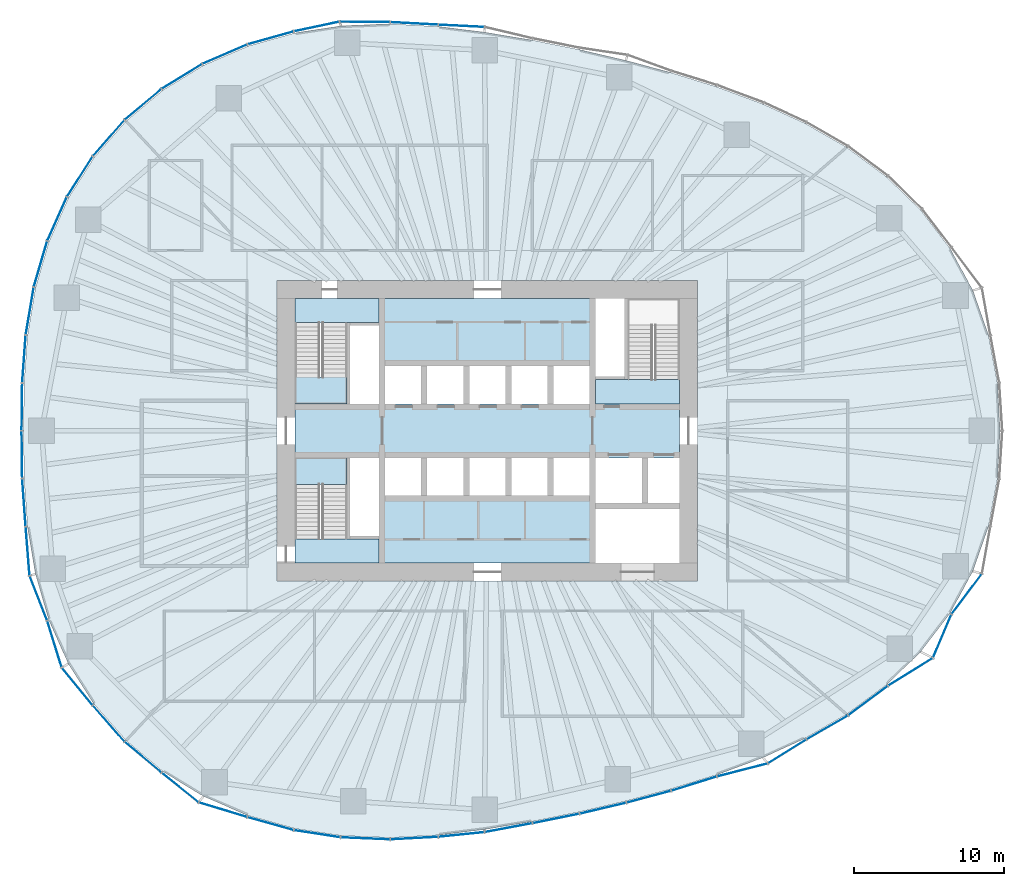
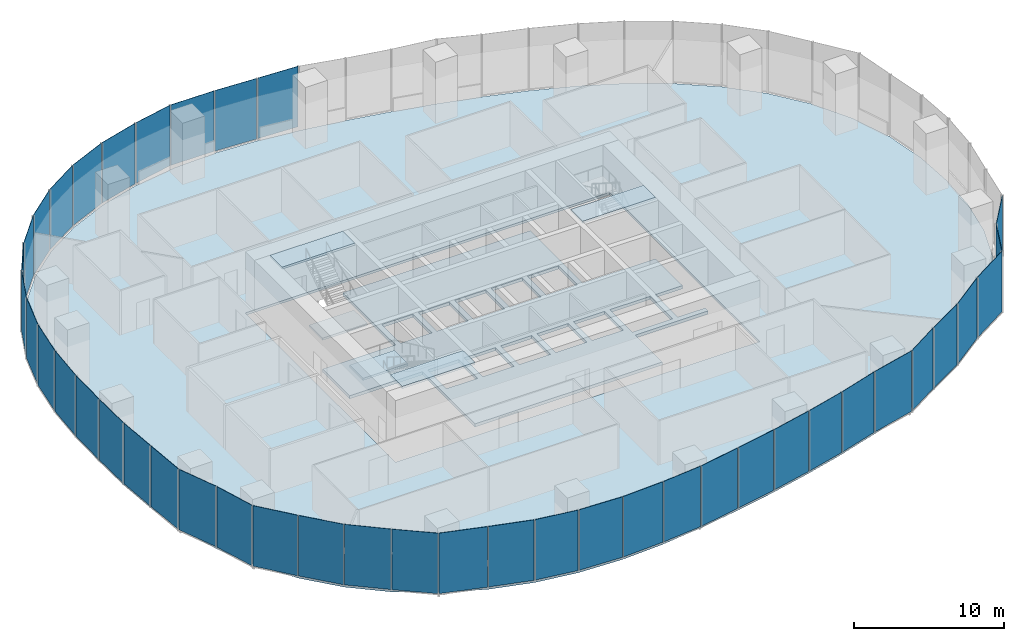
# One storey, part 8 of 20: 42 plates, 7 slabs, 17 elements without a shape of their own.
"""IFC4 building model written with IfcOpenShell, lengths in metres."""

from ifc_helpers import new_model, si_unit, direction, frame, origin, origin_2d, place, context, subcontext, project, spatial, polyline, rectangle, outline, extrude, material, layer, layer_set, type_object, element, aggregate, save


model = new_model("IFC4")

# Units and contexts
model_context = context("Model", 3, precision=1e-05, world=origin(), true_north=direction((0.0, 1.0)))
body_context = subcontext(model_context, "Body", "Model", "MODEL_VIEW")
ifc_project = project(units=[si_unit("LENGTHUNIT", "METRE"), si_unit("AREAUNIT", "SQUARE_METRE"), si_unit("VOLUMEUNIT", "CUBIC_METRE"), si_unit("PLANEANGLEUNIT", "RADIAN"), si_unit("MASSUNIT", "GRAM", prefix="KILO")], contexts=[model_context])

# Site, building, storey
site_placement = place(None, origin())
site = spatial("IfcSite", under=ifc_project, at=site_placement, CompositionType="ELEMENT")
building_placement = place(site_placement, origin())
building = spatial("IfcBuilding", under=site, at=building_placement, Name="Ghaith Harvest Tower", CompositionType="ELEMENT")
storey_placement = place(building_placement, frame((0.0, 0.0, 85.0)))
storey = spatial("IfcBuildingStorey", under=building, at=storey_placement, Name="L17", CompositionType="ELEMENT", Elevation=85.0)

# Curtain wall, plates
ifc_material_1 = material(Name="Black anodised aluminium and fritted glass", Category="aluminium")
curtain_wall_type = type_object("IfcCurtainWallType", Name="CW-F CURTAIN WALL", PredefinedType="NOTDEFINED", material=ifc_material_1)
curtain_wall_1_placement = place(storey_placement, origin())
curtain_wall_1 = element("IfcCurtainWall", 1, at=curtain_wall_1_placement, inside=storey, type_object=curtain_wall_type, Name="Curtain wall CW-F bay 06 L17", PredefinedType="NOTDEFINED")
ifc_material_2 = material(Name="Glass, high-transmission fritted double glazed unit", Category="glass")
ifc_layer_1 = layer(ifc_material_2, 0.028076171875)
ifc_layer_set_1 = layer_set([ifc_layer_1], Name="CW-F VISION PANEL")
plate_type = type_object("IfcPlateType", Name="CW-F VISION PANEL", PredefinedType="CURTAIN_PANEL", material=ifc_layer_set_1)
plate_1_placement = place(storey_placement, frame((-1.722900390625, 26.953369140625, 0.080078125), z_axis=(0.0, 0.0, 1.0), x_axis=(-0.998771443485, 0.049554048048, 0.0)))
plate_1 = element("IfcPlate", 2, at=plate_1_placement, type_object=plate_type, Name="CW-F panel 1 bay 06 L17", PredefinedType="CURTAIN_PANEL", context=body_context, shape_type="SweptSolid", body=[
    extrude(rectangle(XDim=3.001708984375, YDim=0.028076171875, at=origin_2d()), origin(), (0.0, 0.0, 1.0), 4.919921875),
])
plate_2_placement = place(storey_placement, frame((-4.863525390625, 27.11572265625, 0.080078125), z_axis=(0.0, 0.0, 1.0), x_axis=(-0.99856250263, 0.053599704667, 0.0)))
plate_2 = element("IfcPlate", 3, at=plate_2_placement, type_object=plate_type, Name="CW-F panel 2 bay 06 L17", PredefinedType="CURTAIN_PANEL", context=body_context, shape_type="SweptSolid", body=[
    extrude(rectangle(XDim=3.1279296875, YDim=0.028076171875, at=origin_2d()), origin(), (0.0, 0.0, 1.0), 4.919921875),
])
plate_3_placement = place(storey_placement, frame((-8.150390625, 27.217041015625, 0.080078125), z_axis=(0.0, 0.0, 1.0), x_axis=(-0.999959609481, 0.008987736446, 0.0)))
plate_3 = element("IfcPlate", 4, at=plate_3_placement, type_object=plate_type, Name="CW-F panel 3 bay 06 L17", PredefinedType="CURTAIN_PANEL", context=body_context, shape_type="SweptSolid", body=[
    extrude(rectangle(XDim=3.29052734375, YDim=0.028076171875, at=origin_2d()), origin(), (0.0, 0.0, 1.0), 4.919921875),
])
aggregate(curtain_wall_1, [plate_1, plate_2, plate_3])

curtain_wall_2_placement = place(storey_placement, origin())
curtain_wall_2 = element("IfcCurtainWall", 5, at=curtain_wall_2_placement, inside=storey, type_object=curtain_wall_type, Name="Curtain wall CW-F bay 07 L17", PredefinedType="NOTDEFINED")
plate_4_placement = place(storey_placement, frame((-11.358154296875, 26.908447265625, 0.080078125), z_axis=(0.0, 0.0, 1.0), x_axis=(-0.978149320779, -0.207903598476, 0.0)))
plate_4 = element("IfcPlate", 6, at=plate_4_placement, type_object=plate_type, Name="CW-F panel 1 bay 07 L17", PredefinedType="CURTAIN_PANEL", context=body_context, shape_type="SweptSolid", body=[
    extrude(rectangle(XDim=3.032958984375, YDim=0.028076171875, at=origin_2d()), origin(), (0.0, 0.0, 1.0), 4.919921875),
])
plate_5_placement = place(storey_placement, frame((-14.42578125, 26.150634765625, 0.080078125), z_axis=(0.0, 0.0, 1.0), x_axis=(-0.96272968243, -0.270465448012, 0.0)))
plate_5 = element("IfcPlate", 7, at=plate_5_placement, type_object=plate_type, Name="CW-F panel 2 bay 07 L17", PredefinedType="CURTAIN_PANEL", context=body_context, shape_type="SweptSolid", body=[
    extrude(rectangle(XDim=3.13037109375, YDim=0.028076171875, at=origin_2d()), origin(), (0.0, 0.0, 1.0), 4.919921875),
])
plate_6_placement = place(storey_placement, frame((-17.46923828125, 25.0693359375, 0.080078125), z_axis=(0.0, 0.0, 1.0), x_axis=(-0.918002845228, -0.396573796605, 0.0)))
plate_6 = element("IfcPlate", 8, at=plate_6_placement, type_object=plate_type, Name="CW-F panel 3 bay 07 L17", PredefinedType="CURTAIN_PANEL", context=body_context, shape_type="SweptSolid", body=[
    extrude(rectangle(XDim=3.18359375, YDim=0.028076171875, at=origin_2d()), origin(), (0.0, 0.0, 1.0), 4.919921875),
])
aggregate(curtain_wall_2, [plate_4, plate_5, plate_6])

curtain_wall_3_placement = place(storey_placement, origin())
curtain_wall_3 = element("IfcCurtainWall", 9, at=curtain_wall_3_placement, inside=storey, type_object=curtain_wall_type, Name="Curtain wall CW-F bay 08 L17", PredefinedType="NOTDEFINED")
plate_7_placement = place(storey_placement, frame((-20.324462890625, 23.590087890625, 0.080078125), z_axis=(0.0, 0.0, 1.0), x_axis=(-0.852527741552, -0.522681977769, 0.0)))
plate_7 = element("IfcPlate", 10, at=plate_7_placement, type_object=plate_type, Name="CW-F panel 1 bay 08 L17", PredefinedType="CURTAIN_PANEL", context=body_context, shape_type="SweptSolid", body=[
    extrude(rectangle(XDim=3.10400390625, YDim=0.028076171875, at=origin_2d()), origin(), (0.0, 0.0, 1.0), 4.919921875),
])
plate_8_placement = place(storey_placement, frame((-22.91064453125, 21.727294921875, 0.080078125), z_axis=(0.0, 0.0, 1.0), x_axis=(-0.766155215147, -0.642655573619, 0.0)))
plate_8 = element("IfcPlate", 11, at=plate_8_placement, type_object=plate_type, Name="CW-F panel 2 bay 08 L17", PredefinedType="CURTAIN_PANEL", context=body_context, shape_type="SweptSolid", body=[
    extrude(rectangle(XDim=3.1279296875, YDim=0.028076171875, at=origin_2d()), origin(), (0.0, 0.0, 1.0), 4.919921875),
])
plate_9_placement = place(storey_placement, frame((-25.201171875, 19.4853515625, 0.080078125), z_axis=(0.0, 0.0, 1.0), x_axis=(-0.659215937547, -0.751953687194, 0.0)))
plate_9 = element("IfcPlate", 12, at=plate_9_placement, type_object=plate_type, Name="CW-F panel 3 bay 08 L17", PredefinedType="CURTAIN_PANEL", context=body_context, shape_type="SweptSolid", body=[
    extrude(rectangle(XDim=3.1416015625, YDim=0.028076171875, at=origin_2d()), origin(), (0.0, 0.0, 1.0), 4.919921875),
])
aggregate(curtain_wall_3, [plate_7, plate_8, plate_9])

curtain_wall_4_placement = place(storey_placement, origin())
curtain_wall_4 = element("IfcCurtainWall", 13, at=curtain_wall_4_placement, inside=storey, type_object=curtain_wall_type, Name="Curtain wall CW-F bay 09 L17", PredefinedType="NOTDEFINED")
plate_10_placement = place(storey_placement, frame((-27.124755859375, 16.919677734375, 0.080078125), z_axis=(0.0, 0.0, 1.0), x_axis=(-0.536779195227, -0.843722759899, 0.0)))
plate_10 = element("IfcPlate", 14, at=plate_10_placement, type_object=plate_type, Name="CW-F panel 1 bay 09 L17", PredefinedType="CURTAIN_PANEL", context=body_context, shape_type="SweptSolid", body=[
    extrude(rectangle(XDim=3.13037109375, YDim=0.028076171875, at=origin_2d()), origin(), (0.0, 0.0, 1.0), 4.919921875),
])
plate_11_placement = place(storey_placement, frame((-28.639404296875, 14.100341796875, 0.080078125), z_axis=(0.0, 0.0, 1.0), x_axis=(-0.407134417018, -0.913368253488, 0.0)))
plate_11 = element("IfcPlate", 15, at=plate_11_placement, type_object=plate_type, Name="CW-F panel 2 bay 09 L17", PredefinedType="CURTAIN_PANEL", context=body_context, shape_type="SweptSolid", body=[
    extrude(rectangle(XDim=3.1279296875, YDim=0.028076171875, at=origin_2d()), origin(), (0.0, 0.0, 1.0), 4.919921875),
])
plate_12_placement = place(storey_placement, frame((-29.740478515625, 11.101318359375, 0.080078125), z_axis=(0.0, 0.0, 1.0), x_axis=(-0.280296918708, -0.959913348882, 0.0)))
plate_12 = element("IfcPlate", 16, at=plate_12_placement, type_object=plate_type, Name="CW-F panel 3 bay 09 L17", PredefinedType="CURTAIN_PANEL", context=body_context, shape_type="SweptSolid", body=[
    extrude(rectangle(XDim=3.1162109375, YDim=0.028076171875, at=origin_2d()), origin(), (0.0, 0.0, 1.0), 4.919921875),
])
aggregate(curtain_wall_4, [plate_10, plate_11, plate_12])

curtain_wall_5_placement = place(storey_placement, origin())
curtain_wall_5 = element("IfcCurtainWall", 17, at=curtain_wall_5_placement, inside=storey, type_object=curtain_wall_type, Name="Curtain wall CW-F bay 10 L17", PredefinedType="NOTDEFINED")
plate_13_placement = place(storey_placement, frame((-30.456298828125, 7.971435546875, 0.080078125), z_axis=(0.0, 0.0, 1.0), x_axis=(-0.165581316368, -0.986196140567, 0.0)))
plate_13 = element("IfcPlate", 18, at=plate_13_placement, type_object=plate_type, Name="CW-F panel 1 bay 10 L17", PredefinedType="CURTAIN_PANEL", context=body_context, shape_type="SweptSolid", body=[
    extrude(rectangle(XDim=3.156494140625, YDim=0.028076171875, at=origin_2d()), origin(), (0.0, 0.0, 1.0), 4.919921875),
])
plate_14_placement = place(storey_placement, frame((-30.84033203125, 4.77685546875, 0.080078125), z_axis=(0.0, 0.0, 1.0), x_axis=(-0.072420546123, -0.997374184797, 0.0)))
plate_14 = element("IfcPlate", 19, at=plate_14_placement, type_object=plate_type, Name="CW-F panel 2 bay 10 L17", PredefinedType="CURTAIN_PANEL", context=body_context, shape_type="SweptSolid", body=[
    extrude(rectangle(XDim=3.1259765625, YDim=0.028076171875, at=origin_2d()), origin(), (0.0, 0.0, 1.0), 4.919921875),
])
plate_15_placement = place(storey_placement, frame((-30.975830078125, 1.589111328125, 0.080078125), z_axis=(0.0, 0.0, 1.0), x_axis=(-0.012133206476, -0.999926389941, 0.0)))
plate_15 = element("IfcPlate", 20, at=plate_15_placement, type_object=plate_type, Name="CW-F panel 3 bay 10 L17", PredefinedType="CURTAIN_PANEL", context=body_context, shape_type="SweptSolid", body=[
    extrude(rectangle(XDim=3.09814453125, YDim=0.028076171875, at=origin_2d()), origin(), (0.0, 0.0, 1.0), 4.919921875),
])
aggregate(curtain_wall_5, [plate_13, plate_14, plate_15])

curtain_wall_6_placement = place(storey_placement, origin())
curtain_wall_6 = element("IfcCurtainWall", 21, at=curtain_wall_6_placement, inside=storey, type_object=curtain_wall_type, Name="Curtain wall CW-F bay 11 L17", PredefinedType="NOTDEFINED")
plate_16_placement = place(storey_placement, frame((-30.975830078125, -1.589111328125, 0.080078125), z_axis=(0.0, 0.0, 1.0), x_axis=(0.012133206773, -0.999926389937, 0.0)))
plate_16 = element("IfcPlate", 22, at=plate_16_placement, type_object=plate_type, Name="CW-F panel 1 bay 11 L17", PredefinedType="CURTAIN_PANEL", context=body_context, shape_type="SweptSolid", body=[
    extrude(rectangle(XDim=3.09814453125, YDim=0.028076171875, at=origin_2d()), origin(), (0.0, 0.0, 1.0), 4.919921875),
])
plate_17_placement = place(storey_placement, frame((-30.84033203125, -4.77685546875, 0.080078125), z_axis=(0.0, 0.0, 1.0), x_axis=(0.072420546349, -0.99737418478, 0.0)))
plate_17 = element("IfcPlate", 23, at=plate_17_placement, type_object=plate_type, Name="CW-F panel 2 bay 11 L17", PredefinedType="CURTAIN_PANEL", context=body_context, shape_type="SweptSolid", body=[
    extrude(rectangle(XDim=3.1259765625, YDim=0.028076171875, at=origin_2d()), origin(), (0.0, 0.0, 1.0), 4.919921875),
])
plate_18_placement = place(storey_placement, frame((-30.594482421875, -8.01513671875, 0.080078125), z_axis=(0.0, 0.0, 1.0), x_axis=(0.078867084181, -0.996885140341, 0.0)))
plate_18 = element("IfcPlate", 24, at=plate_18_placement, type_object=plate_type, Name="CW-F panel 3 bay 11 L17", PredefinedType="CURTAIN_PANEL", context=body_context, shape_type="SweptSolid", body=[
    extrude(rectangle(XDim=3.209716796875, YDim=0.028076171875, at=origin_2d()), origin(), (0.0, 0.0, 1.0), 4.919921875),
])
aggregate(curtain_wall_6, [plate_16, plate_17, plate_18])

curtain_wall_7_placement = place(storey_placement, origin())
curtain_wall_7 = element("IfcCurtainWall", 25, at=curtain_wall_7_placement, inside=storey, type_object=curtain_wall_type, Name="Curtain wall CW-F bay 12 L17", PredefinedType="NOTDEFINED")
plate_19_placement = place(storey_placement, frame((-29.878662109375, -11.14501953125, 0.080078125), z_axis=(0.0, 0.0, 1.0), x_axis=(0.366039738151, -0.930599220983, 0.0)))
plate_19 = element("IfcPlate", 26, at=plate_19_placement, type_object=plate_type, Name="CW-F panel 1 bay 12 L17", PredefinedType="CURTAIN_PANEL", context=body_context, shape_type="SweptSolid", body=[
    extrude(rectangle(XDim=3.122802734375, YDim=0.028076171875, at=origin_2d()), origin(), (0.0, 0.0, 1.0), 4.919921875),
])
plate_20_placement = place(storey_placement, frame((-28.809814453125, -14.195068359375, 0.080078125), z_axis=(0.0, 0.0, 1.0), x_axis=(0.295583054454, -0.95531704576, 0.0)))
plate_20 = element("IfcPlate", 27, at=plate_20_placement, type_object=plate_type, Name="CW-F panel 2 bay 12 L17", PredefinedType="CURTAIN_PANEL", context=body_context, shape_type="SweptSolid", body=[
    extrude(rectangle(XDim=3.185546875, YDim=0.028076171875, at=origin_2d()), origin(), (0.0, 0.0, 1.0), 4.919921875),
])
plate_21_placement = place(storey_placement, frame((-27.295166015625, -17.014404296875, 0.080078125), z_axis=(0.0, 0.0, 1.0), x_axis=(0.633789860881, -0.773505276158, 0.0)))
plate_21 = element("IfcPlate", 28, at=plate_21_placement, type_object=plate_type, Name="CW-F panel 3 bay 12 L17", PredefinedType="CURTAIN_PANEL", context=body_context, shape_type="SweptSolid", body=[
    extrude(rectangle(XDim=3.1767578125, YDim=0.028076171875, at=origin_2d()), origin(), (0.0, 0.0, 1.0), 4.919921875),
])
aggregate(curtain_wall_7, [plate_19, plate_20, plate_21])

curtain_wall_8_placement = place(storey_placement, origin())
curtain_wall_8 = element("IfcCurtainWall", 29, at=curtain_wall_8_placement, inside=storey, type_object=curtain_wall_type, Name="Curtain wall CW-F bay 13 L17", PredefinedType="NOTDEFINED")
plate_22_placement = place(storey_placement, frame((-25.201171875, -19.4853515625, 0.080078125), z_axis=(0.0, 0.0, 1.0), x_axis=(0.659215937337, -0.751953687378, 0.0)))
plate_22 = element("IfcPlate", 30, at=plate_22_placement, type_object=plate_type, Name="CW-F panel 1 bay 13 L17", PredefinedType="CURTAIN_PANEL", context=body_context, shape_type="SweptSolid", body=[
    extrude(rectangle(XDim=3.1416015625, YDim=0.028076171875, at=origin_2d()), origin(), (0.0, 0.0, 1.0), 4.919921875),
])
plate_23_placement = place(storey_placement, frame((-22.91064453125, -21.727294921875, 0.080078125), z_axis=(0.0, 0.0, 1.0), x_axis=(0.76615521545, -0.642655573258, 0.0)))
plate_23 = element("IfcPlate", 31, at=plate_23_placement, type_object=plate_type, Name="CW-F panel 2 bay 13 L17", PredefinedType="CURTAIN_PANEL", context=body_context, shape_type="SweptSolid", body=[
    extrude(rectangle(XDim=3.1279296875, YDim=0.028076171875, at=origin_2d()), origin(), (0.0, 0.0, 1.0), 4.919921875),
])
plate_24_placement = place(storey_placement, frame((-20.447265625, -23.748046875, 0.080078125), z_axis=(0.0, 0.0, 1.0), x_axis=(0.780122054158, -0.625627349639, 0.0)))
plate_24 = element("IfcPlate", 32, at=plate_24_placement, type_object=plate_type, Name="CW-F panel 3 bay 13 L17", PredefinedType="CURTAIN_PANEL", context=body_context, shape_type="SweptSolid", body=[
    extrude(rectangle(XDim=3.085205078125, YDim=0.028076171875, at=origin_2d()), origin(), (0.0, 0.0, 1.0), 4.919921875),
])
aggregate(curtain_wall_8, [plate_22, plate_23, plate_24])

curtain_wall_9_placement = place(storey_placement, origin())
curtain_wall_9 = element("IfcCurtainWall", 33, at=curtain_wall_9_placement, inside=storey, type_object=curtain_wall_type, Name="Curtain wall CW-F bay 14 L17", PredefinedType="NOTDEFINED")
plate_25_placement = place(storey_placement, frame((-17.591796875, -25.227294921875, 0.080078125), z_axis=(0.0, 0.0, 1.0), x_axis=(0.95734234218, -0.288956121011, 0.0)))
plate_25 = element("IfcPlate", 34, at=plate_25_placement, type_object=plate_type, Name="CW-F panel 1 bay 14 L17", PredefinedType="CURTAIN_PANEL", context=body_context, shape_type="SweptSolid", body=[
    extrude(rectangle(XDim=3.3056640625, YDim=0.028076171875, at=origin_2d()), origin(), (0.0, 0.0, 1.0), 4.919921875),
])
plate_26_placement = place(storey_placement, frame((-14.42578125, -26.150634765625, 0.080078125), z_axis=(0.0, 0.0, 1.0), x_axis=(0.962729682704, -0.270465447038, 0.0)))
plate_26 = element("IfcPlate", 35, at=plate_26_placement, type_object=plate_type, Name="CW-F panel 2 bay 14 L17", PredefinedType="CURTAIN_PANEL", context=body_context, shape_type="SweptSolid", body=[
    extrude(rectangle(XDim=3.13037109375, YDim=0.028076171875, at=origin_2d()), origin(), (0.0, 0.0, 1.0), 4.919921875),
])
plate_27_placement = place(storey_placement, frame((-11.327392578125, -26.82373046875, 0.080078125), z_axis=(0.0, 0.0, 1.0), x_axis=(0.98836987371, -0.152069039392, 0.0)))
plate_27 = element("IfcPlate", 36, at=plate_27_placement, type_object=plate_type, Name="CW-F panel 3 bay 14 L17", PredefinedType="CURTAIN_PANEL", context=body_context, shape_type="SweptSolid", body=[
    extrude(rectangle(XDim=3.0625, YDim=0.028076171875, at=origin_2d()), origin(), (0.0, 0.0, 1.0), 4.919921875),
])
aggregate(curtain_wall_9, [plate_25, plate_26, plate_27])

curtain_wall_10_placement = place(storey_placement, origin())
curtain_wall_10 = element("IfcCurtainWall", 37, at=curtain_wall_10_placement, inside=storey, type_object=curtain_wall_type, Name="Curtain wall CW-F bay 15 L17", PredefinedType="NOTDEFINED")
plate_28_placement = place(storey_placement, frame((-8.119873046875, -27.13232421875, 0.080078125), z_axis=(0.0, 0.0, 1.0), x_axis=(0.999118988518, -0.041967210794, 0.0)))
plate_28 = element("IfcPlate", 38, at=plate_28_placement, type_object=plate_type, Name="CW-F panel 1 bay 15 L17", PredefinedType="CURTAIN_PANEL", context=body_context, shape_type="SweptSolid", body=[
    extrude(rectangle(XDim=3.232177734375, YDim=0.028076171875, at=origin_2d()), origin(), (0.0, 0.0, 1.0), 4.919921875),
])
plate_29_placement = place(storey_placement, frame((-4.863525390625, -27.11572265625, 0.080078125), z_axis=(0.0, 0.0, 1.0), x_axis=(0.998562502616, 0.053599704928, 0.0)))
plate_29 = element("IfcPlate", 39, at=plate_29_placement, type_object=plate_type, Name="CW-F panel 2 bay 15 L17", PredefinedType="CURTAIN_PANEL", context=body_context, shape_type="SweptSolid", body=[
    extrude(rectangle(XDim=3.1279296875, YDim=0.028076171875, at=origin_2d()), origin(), (0.0, 0.0, 1.0), 4.919921875),
])
plate_30_placement = place(storey_placement, frame((-1.722412109375, -26.87353515625, 0.080078125), z_axis=(0.0, 0.0, 1.0), x_axis=(0.99488222177, 0.101041401443, 0.0)))
plate_30 = element("IfcPlate", 40, at=plate_30_placement, type_object=plate_type, Name="CW-F panel 3 bay 15 L17", PredefinedType="CURTAIN_PANEL", context=body_context, shape_type="SweptSolid", body=[
    extrude(rectangle(XDim=3.014892578125, YDim=0.028076171875, at=origin_2d()), origin(), (0.0, 0.0, 1.0), 4.919921875),
])
aggregate(curtain_wall_10, [plate_28, plate_29, plate_30])

curtain_wall_11_placement = place(storey_placement, origin())
curtain_wall_11 = element("IfcCurtainWall", 41, at=curtain_wall_11_placement, inside=storey, type_object=curtain_wall_type, Name="Curtain wall CW-F bay 16 L17", PredefinedType="NOTDEFINED")
plate_31_placement = place(storey_placement, frame((1.4130859375, -26.420166015625, 0.080078125), z_axis=(0.0, 0.0, 1.0), x_axis=(0.983131230266, 0.182901569365, 0.0)))
plate_31 = element("IfcPlate", 42, at=plate_31_placement, type_object=plate_type, Name="CW-F panel 1 bay 16 L17", PredefinedType="CURTAIN_PANEL", context=body_context, shape_type="SweptSolid", body=[
    extrude(rectangle(XDim=3.166748046875, YDim=0.028076171875, at=origin_2d()), origin(), (0.0, 0.0, 1.0), 4.919921875),
])
plate_32_placement = place(storey_placement, frame((4.5732421875, -25.809326171875, 0.080078125), z_axis=(0.0, 0.0, 1.0), x_axis=(0.98043234808, 0.196856320293, 0.0)))
plate_32 = element("IfcPlate", 43, at=plate_32_placement, type_object=plate_type, Name="CW-F panel 2 bay 16 L17", PredefinedType="CURTAIN_PANEL", context=body_context, shape_type="SweptSolid", body=[
    extrude(rectangle(XDim=3.1103515625, YDim=0.028076171875, at=origin_2d()), origin(), (0.0, 0.0, 1.0), 4.919921875),
])
plate_33_placement = place(storey_placement, frame((7.697265625, -25.129150390625, 0.080078125), z_axis=(0.0, 0.0, 1.0), x_axis=(0.973564757908, 0.228411169079, 0.0)))
plate_33 = element("IfcPlate", 44, at=plate_33_placement, type_object=plate_type, Name="CW-F panel 3 bay 16 L17", PredefinedType="CURTAIN_PANEL", context=body_context, shape_type="SweptSolid", body=[
    extrude(rectangle(XDim=3.125, YDim=0.028076171875, at=origin_2d()), origin(), (0.0, 0.0, 1.0), 4.919921875),
])
aggregate(curtain_wall_11, [plate_31, plate_32, plate_33])

curtain_wall_12_placement = place(storey_placement, origin())
curtain_wall_12 = element("IfcCurtainWall", 45, at=curtain_wall_12_placement, inside=storey, type_object=curtain_wall_type, Name="Curtain wall CW-F bay 17 L17", PredefinedType="NOTDEFINED")
plate_34_placement = place(storey_placement, frame((10.745849609375, -24.36376953125, 0.080078125), z_axis=(0.0, 0.0, 1.0), x_axis=(0.965848435029, 0.259107700681, 0.0)))
plate_34 = element("IfcPlate", 46, at=plate_34_placement, type_object=plate_type, Name="CW-F panel 1 bay 17 L17", PredefinedType="CURTAIN_PANEL", context=body_context, shape_type="SweptSolid", body=[
    extrude(rectangle(XDim=3.002197265625, YDim=0.028076171875, at=origin_2d()), origin(), (0.0, 0.0, 1.0), 4.919921875),
])
plate_35_placement = place(storey_placement, frame((13.760986328125, -23.490234375, 0.080078125), z_axis=(0.0, 0.0, 1.0), x_axis=(0.954988265447, 0.296643578827, 0.0)))
plate_35 = element("IfcPlate", 47, at=plate_35_placement, type_object=plate_type, Name="CW-F panel 2 bay 17 L17", PredefinedType="CURTAIN_PANEL", context=body_context, shape_type="SweptSolid", body=[
    extrude(rectangle(XDim=3.1171875, YDim=0.028076171875, at=origin_2d()), origin(), (0.0, 0.0, 1.0), 4.919921875),
])
plate_36_placement = place(storey_placement, frame((16.980712890625, -22.580322265625, 0.080078125), z_axis=(0.0, 0.0, 1.0), x_axis=(0.968451429434, 0.249202385275, 0.0)))
plate_36 = element("IfcPlate", 48, at=plate_36_placement, type_object=plate_type, Name="CW-F panel 3 bay 17 L17", PredefinedType="CURTAIN_PANEL", context=body_context, shape_type="SweptSolid", body=[
    extrude(rectangle(XDim=3.416748046875, YDim=0.028076171875, at=origin_2d()), origin(), (0.0, 0.0, 1.0), 4.919921875),
])
aggregate(curtain_wall_12, [plate_34, plate_35, plate_36])

curtain_wall_13_placement = place(storey_placement, origin())
curtain_wall_13 = element("IfcCurtainWall", 49, at=curtain_wall_13_placement, inside=storey, type_object=curtain_wall_type, Name="Curtain wall CW-F bay 18 L17", PredefinedType="NOTDEFINED")
plate_37_placement = place(storey_placement, frame((19.954833984375, -21.348876953125, 0.080078125), z_axis=(0.0, 0.0, 1.0), x_axis=(0.849360700005, 0.527812846837, 0.0)))
plate_37 = element("IfcPlate", 50, at=plate_37_placement, type_object=plate_type, Name="CW-F panel 1 bay 18 L17", PredefinedType="CURTAIN_PANEL", context=body_context, shape_type="SweptSolid", body=[
    extrude(rectangle(XDim=2.935791015625, YDim=0.028076171875, at=origin_2d()), origin(), (0.0, 0.0, 1.0), 4.919921875),
])
plate_38_placement = place(storey_placement, frame((22.626953125, -19.750244140625, 0.080078125), z_axis=(0.0, 0.0, 1.0), x_axis=(0.866159208454, 0.499768171866, 0.0)))
plate_38 = element("IfcPlate", 51, at=plate_38_placement, type_object=plate_type, Name="CW-F panel 2 bay 18 L17", PredefinedType="CURTAIN_PANEL", context=body_context, shape_type="SweptSolid", body=[
    extrude(rectangle(XDim=3.1328125, YDim=0.028076171875, at=origin_2d()), origin(), (0.0, 0.0, 1.0), 4.919921875),
])
plate_39_placement = place(storey_placement, frame((25.34619140625, -17.96142578125, 0.080078125), z_axis=(0.0, 0.0, 1.0), x_axis=(0.802866788713, 0.596158468515, 0.0)))
plate_39 = element("IfcPlate", 52, at=plate_39_placement, type_object=plate_type, Name="CW-F panel 3 bay 18 L17", PredefinedType="CURTAIN_PANEL", context=body_context, shape_type="SweptSolid", body=[
    extrude(rectangle(XDim=3.2275390625, YDim=0.028076171875, at=origin_2d()), origin(), (0.0, 0.0, 1.0), 4.919921875),
])
aggregate(curtain_wall_13, [plate_37, plate_38, plate_39])

curtain_wall_14_placement = place(storey_placement, origin())
curtain_wall_14 = element("IfcCurtainWall", 53, at=curtain_wall_14_placement, inside=storey, type_object=curtain_wall_type, Name="Curtain wall CW-F bay 19 L17", PredefinedType="NOTDEFINED")
plate_40_placement = place(storey_placement, frame((28.166748046875, -16.05126953125, 0.080078125), z_axis=(0.0, 0.0, 1.0), x_axis=(0.850245604669, 0.526386181184, 0.0)))
plate_40 = element("IfcPlate", 54, at=plate_40_placement, type_object=plate_type, Name="CW-F panel 1 bay 19 L17", PredefinedType="CURTAIN_PANEL", context=body_context, shape_type="SweptSolid", body=[
    extrude(rectangle(XDim=3.431884765625, YDim=0.028076171875, at=origin_2d()), origin(), (0.0, 0.0, 1.0), 4.919921875),
])
plate_41_placement = place(storey_placement, frame((30.2783203125, -13.6708984375, 0.080078125), z_axis=(0.0, 0.0, 1.0), x_axis=(0.390980294296, 0.920399049039, 0.0)))
plate_41 = element("IfcPlate", 55, at=plate_41_placement, type_object=plate_type, Name="CW-F panel 2 bay 19 L17", PredefinedType="CURTAIN_PANEL", context=body_context, shape_type="SweptSolid", body=[
    extrude(rectangle(XDim=3.083740234375, YDim=0.028076171875, at=origin_2d()), origin(), (0.0, 0.0, 1.0), 4.919921875),
])
plate_42_placement = place(storey_placement, frame((31.91015625, -10.865234375, 0.080078125), z_axis=(0.0, 0.0, 1.0), x_axis=(0.600454091429, 0.799659229976, 0.0)))
plate_42 = element("IfcPlate", 56, at=plate_42_placement, type_object=plate_type, Name="CW-F panel 3 bay 19 L17", PredefinedType="CURTAIN_PANEL", context=body_context, shape_type="SweptSolid", body=[
    extrude(rectangle(XDim=3.295654296875, YDim=0.028076171875, at=origin_2d()), origin(), (0.0, 0.0, 1.0), 4.919921875),
])
aggregate(curtain_wall_14, [plate_40, plate_41, plate_42])

# Slabs
ifc_material_3 = material(Name="Concrete C40/50", Category="concrete")
ifc_layer_2 = layer(ifc_material_3, 0.199951171875)
ifc_layer_set_2 = layer_set([ifc_layer_2], Name="FLOOR SLAB 200")
slab_type_1 = type_object("IfcSlabType", Name="FLOOR SLAB 200", PredefinedType="FLOOR", material=ifc_layer_set_2)
slab_1_placement = place(storey_placement, frame((0.0, 0.0, -0.199951171875)))
element("IfcSlab", 57, at=slab_1_placement, inside=storey, type_object=slab_type_1, Name="Floor slab L17", PredefinedType="FLOOR", context=body_context, shape_type="SweptSolid", body=[
    extrude(outline(polyline([(34.125, 0.0), (33.95849609375, 3.194091796875), (33.37158203125, 6.333984375), (32.318359375, 9.3408203125), (30.78515625, 12.1708984375), (28.840087890625, 14.708984375), (26.572509765625, 16.9111328125), (23.92431640625, 18.873046875), (21.149169921875, 20.469482421875), (18.34521484375, 21.7548828125), (15.22119140625, 22.916259765625), (12.1796875, 23.857666015625), (9.21533203125, 24.65087890625), (6.10888671875, 25.378662109375), (2.99560546875, 26.004150390625), (-0.181396484375, 26.527099609375), (-3.24755859375, 26.91064453125), (-6.4375, 27.0849609375), (-9.733642578125, 26.949951171875), (-12.828125, 26.476806640625), (-15.907958984375, 25.614501953125), (-18.8935546875, 24.32763671875), (-21.59912109375, 22.671142578125), (-24.04833984375, 20.618408203125), (-26.16455078125, 18.20556640625), (-27.881591796875, 15.507080078125), (-29.182373046875, 12.587890625), (-30.073974609375, 9.531005859375), (-30.606689453125, 6.35107421875), (-30.837158203125, 3.165771484375), (-30.875, 0.0), (-30.837158203125, -3.165771484375), (-30.606689453125, -6.35107421875), (-30.073974609375, -9.531005859375), (-29.182373046875, -12.587890625), (-27.881591796875, -15.507080078125), (-26.16455078125, -18.20556640625), (-24.04833984375, -20.618408203125), (-21.59912109375, -22.671142578125), (-18.8935546875, -24.32763671875), (-15.907958984375, -25.614501953125), (-12.828125, -26.476806640625), (-9.733642578125, -26.949951171875), (-6.4375, -27.0849609375), (-3.24755859375, -26.91064453125), (-0.181396484375, -26.527099609375), (2.99560546875, -26.004150390625), (6.10888671875, -25.378662109375), (9.21533203125, -24.65087890625), (12.1796875, -23.857666015625), (15.22119140625, -22.916259765625), (18.34521484375, -21.7548828125), (21.149169921875, -20.469482421875), (23.92431640625, -18.873046875), (26.572509765625, -16.9111328125), (28.840087890625, -14.708984375), (30.78515625, -12.1708984375), (32.318359375, -9.3408203125), (33.37158203125, -6.333984375), (33.95849609375, -3.194091796875), (34.125, 0.0)]), holes=[polyline([(-14.0, -10.0), (14.0, -10.0), (14.0, 10.0), (-14.0, 10.0), (-14.0, -10.0)])]), origin(), (0.0, 0.0, 1.0), 0.199951171875),
])
ifc_material_4 = material(Name="Concrete C40/50", Category="concrete")
ifc_layer_3 = layer(ifc_material_4, 0.25)
ifc_layer_set_3 = layer_set([ifc_layer_3], Name="FLOOR SLAB 250")
slab_type_2 = type_object("IfcSlabType", Name="FLOOR SLAB 250", PredefinedType="FLOOR", material=ifc_layer_set_3)
slab_2_placement = place(storey_placement, frame((0.0, 0.0, -0.25)))
element("IfcSlab", 58, at=slab_2_placement, inside=storey, type_object=slab_type_2, Name="Core slab L17", PredefinedType="FLOOR", context=body_context, shape_type="SweptSolid", body=[
    extrude(outline(polyline([(-12.800048828125, 1.800048828125), (-7.199951171875, 1.800048828125), (-7.199951171875, 8.800048828125), (7.199951171875, 8.800048828125), (7.199951171875, 1.800048828125), (12.800048828125, 1.800048828125), (12.800048828125, -1.800048828125), (10.699951171875, -1.800048828125), (10.699951171875, -4.800048828125), (12.800048828125, -4.800048828125), (12.800048828125, -5.199951171875), (7.199951171875, -5.199951171875), (7.199951171875, -8.800048828125), (-7.199951171875, -8.800048828125), (-7.199951171875, -1.800048828125), (-12.800048828125, -1.800048828125), (-12.800048828125, 1.800048828125)]), holes=[polyline([(-4.39990234375, -4.300048828125), (-4.39990234375, -1.800048828125), (-6.800048828125, -1.800048828125), (-6.800048828125, -4.300048828125), (-4.39990234375, -4.300048828125)]), polyline([(-1.60009765625, -4.300048828125), (-1.60009765625, -1.800048828125), (-4.0, -1.800048828125), (-4.0, -4.300048828125), (-1.60009765625, -4.300048828125)]), polyline([(1.199951171875, -4.300048828125), (1.199951171875, -1.800048828125), (-1.199951171875, -1.800048828125), (-1.199951171875, -4.300048828125), (1.199951171875, -4.300048828125)]), polyline([(-4.39990234375, 1.800048828125), (-4.39990234375, 4.300048828125), (-6.800048828125, 4.300048828125), (-6.800048828125, 1.800048828125), (-4.39990234375, 1.800048828125)]), polyline([(-1.60009765625, 1.800048828125), (-1.60009765625, 4.300048828125), (-4.0, 4.300048828125), (-4.0, 1.800048828125), (-1.60009765625, 1.800048828125)]), polyline([(1.199951171875, 1.800048828125), (1.199951171875, 4.300048828125), (-1.199951171875, 4.300048828125), (-1.199951171875, 1.800048828125), (1.199951171875, 1.800048828125)]), polyline([(10.300048828125, -4.800048828125), (10.300048828125, -1.800048828125), (7.199951171875, -1.800048828125), (7.199951171875, -4.800048828125), (10.300048828125, -4.800048828125)]), polyline([(4.0, -4.300048828125), (4.0, -1.800048828125), (1.60009765625, -1.800048828125), (1.60009765625, -4.300048828125), (4.0, -4.300048828125)]), polyline([(6.800048828125, -4.300048828125), (6.800048828125, -1.800048828125), (4.39990234375, -1.800048828125), (4.39990234375, -4.300048828125), (6.800048828125, -4.300048828125)]), polyline([(4.0, 1.800048828125), (4.0, 4.300048828125), (1.60009765625, 4.300048828125), (1.60009765625, 1.800048828125), (4.0, 1.800048828125)]), polyline([(6.800048828125, 1.800048828125), (6.800048828125, 4.300048828125), (4.39990234375, 4.300048828125), (4.39990234375, 1.800048828125), (6.800048828125, 1.800048828125)])]), origin(), (0.0, 0.0, 1.0), 0.25),
])

# Stair, slabs
ifc_material_5 = material(Name="Concrete C40/50, precast", Category="concrete")
stair_type = type_object("IfcStairType", Name="CORE STAIR 28R", PredefinedType="HALF_TURN_STAIR", material=ifc_material_5)
stair_1_placement = place(storey_placement, origin())
stair_1 = element("IfcStair", 59, at=stair_1_placement, inside=storey, type_object=stair_type, Name="Stair ST1 L17", PredefinedType="HALF_TURN_STAIR")
ifc_material_6 = material(Name="Concrete C40/50, precast", Category="concrete")
ifc_layer_4 = layer(ifc_material_6, 0.179931640625)
ifc_layer_set_4 = layer_set([ifc_layer_4], Name="STAIR LANDING 180")
slab_type_3 = type_object("IfcSlabType", Name="STAIR LANDING 180", PredefinedType="LANDING", material=ifc_layer_set_4)
slab_3_placement = place(storey_placement, frame((0.0, 0.0, 2.320068359375)))
slab_3 = element("IfcSlab", 60, at=slab_3_placement, type_object=slab_type_3, Name="ST1 landing 1", PredefinedType="LANDING", context=body_context, shape_type="SweptSolid", body=[
    extrude(outline(polyline([(-12.800048828125, 3.580078125), (-12.800048828125, 1.800048828125), (-9.35009765625, 1.800048828125), (-9.35009765625, 3.580078125), (-12.800048828125, 3.580078125)])), origin(), (0.0, 0.0, 1.0), 0.179931640625),
])
slab_4_placement = place(storey_placement, frame((0.0, 0.0, 4.820068359375)))
slab_4 = element("IfcSlab", 61, at=slab_4_placement, type_object=slab_type_3, Name="ST1 landing 2", PredefinedType="LANDING", context=body_context, shape_type="SweptSolid", body=[
    extrude(outline(polyline([(-12.800048828125, 8.800048828125), (-12.800048828125, 7.199951171875), (-7.199951171875, 7.199951171875), (-7.199951171875, 8.800048828125), (-12.800048828125, 8.800048828125)])), origin(), (0.0, 0.0, 1.0), 0.179931640625),
])
aggregate(stair_1, [slab_3, slab_4])

stair_2_placement = place(storey_placement, origin())
stair_2 = element("IfcStair", 62, at=stair_2_placement, inside=storey, type_object=stair_type, Name="Stair ST3 L17", PredefinedType="HALF_TURN_STAIR")
slab_5_placement = place(storey_placement, frame((0.0, 0.0, 2.320068359375)))
slab_5 = element("IfcSlab", 63, at=slab_5_placement, type_object=slab_type_3, Name="ST3 landing 1", PredefinedType="LANDING", context=body_context, shape_type="SweptSolid", body=[
    extrude(outline(polyline([(-12.800048828125, -3.580078125), (-12.800048828125, -1.800048828125), (-9.35009765625, -1.800048828125), (-9.35009765625, -3.580078125), (-12.800048828125, -3.580078125)])), origin(), (0.0, 0.0, 1.0), 0.179931640625),
])
slab_6_placement = place(storey_placement, frame((0.0, 0.0, 4.820068359375)))
slab_6 = element("IfcSlab", 64, at=slab_6_placement, type_object=slab_type_3, Name="ST3 landing 2", PredefinedType="LANDING", context=body_context, shape_type="SweptSolid", body=[
    extrude(outline(polyline([(-12.800048828125, -8.800048828125), (-12.800048828125, -7.199951171875), (-7.199951171875, -7.199951171875), (-7.199951171875, -8.800048828125), (-12.800048828125, -8.800048828125)])), origin(), (0.0, 0.0, 1.0), 0.179931640625),
])
aggregate(stair_2, [slab_5, slab_6])

# Stair, slab
stair_3_placement = place(storey_placement, origin())
stair_3 = element("IfcStair", 65, at=stair_3_placement, inside=storey, type_object=stair_type, Name="Stair ST2 L17", PredefinedType="HALF_TURN_STAIR")
slab_7_placement = place(storey_placement, frame((0.0, 0.0, 4.820068359375)))
slab_7 = element("IfcSlab", 66, at=slab_7_placement, type_object=slab_type_3, Name="ST2 landing 2", PredefinedType="LANDING", context=body_context, shape_type="SweptSolid", body=[
    extrude(outline(polyline([(12.800048828125, 1.800048828125), (12.800048828125, 3.39990234375), (7.199951171875, 3.39990234375), (7.199951171875, 1.800048828125), (12.800048828125, 1.800048828125)])), origin(), (0.0, 0.0, 1.0), 0.179931640625),
])
aggregate(stair_3, [slab_7])

save(model, "model.ifc")
